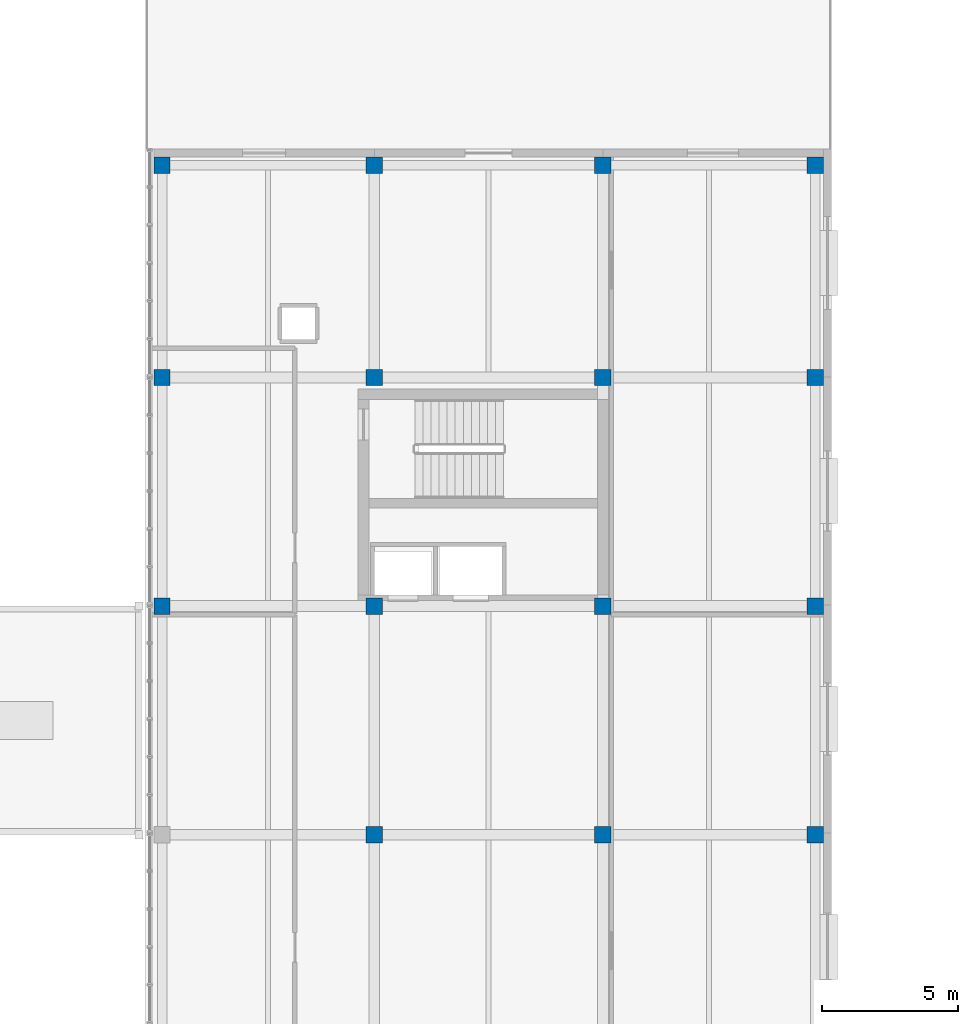
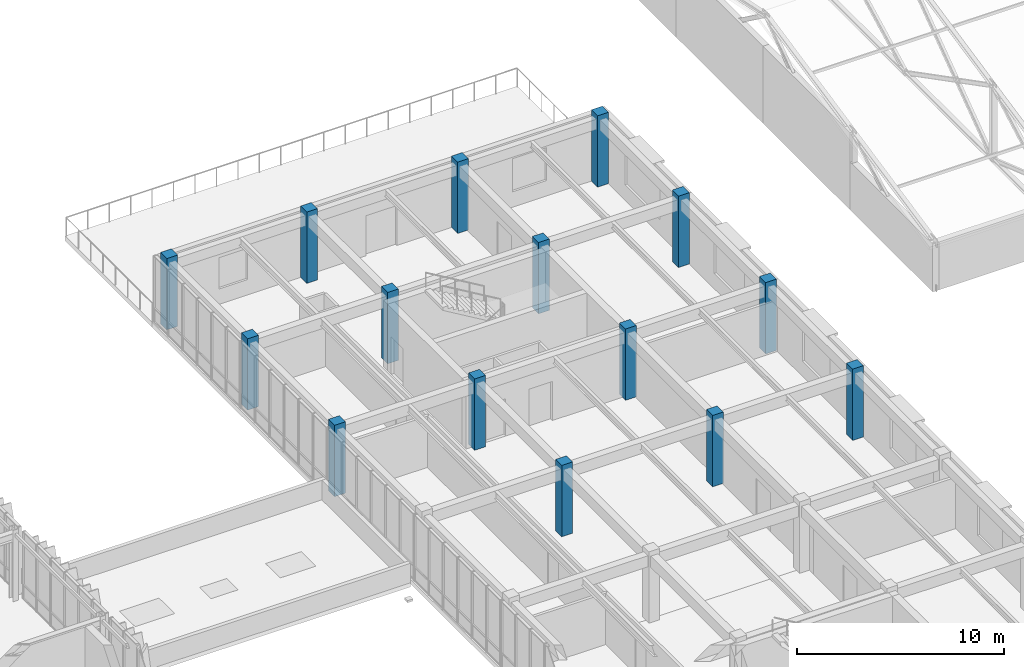
# One storey, part 12 of 123: 15 columns.
"""IFC4 building model written with IfcOpenShell, lengths in metres."""

from ifc_helpers import new_model, si_unit, direction, frame, origin, origin_2d, place, context, subcontext, project, spatial, rectangle, extrude, material, material_profile, profile_set, type_object, element, save


model = new_model("IFC4")

# Units and contexts
model_context = context("Model", 3, precision=1e-05, world=origin(), true_north=direction((0.0, 1.0)))
body_context = subcontext(model_context, "Body", "Model", "MODEL_VIEW")
ifc_project = project(units=[si_unit("LENGTHUNIT", "METRE"), si_unit("AREAUNIT", "SQUARE_METRE"), si_unit("VOLUMEUNIT", "CUBIC_METRE"), si_unit("PLANEANGLEUNIT", "RADIAN"), si_unit("MASSUNIT", "GRAM", prefix="KILO")], contexts=[model_context])

# Site, building, storey
site_placement = place(None, origin())
site = spatial("IfcSite", under=ifc_project, at=site_placement, CompositionType="ELEMENT")
building_placement = place(site_placement, origin())
building = spatial("IfcBuilding", under=site, at=building_placement, Name="Zayran Congress Hotel", CompositionType="ELEMENT")
storey_placement = place(building_placement, frame((0.0, 0.0, 15.0)))
storey = spatial("IfcBuildingStorey", under=building, at=storey_placement, Name="L03", CompositionType="ELEMENT", Elevation=15.0)

# Columns
ifc_material = material(Name="Concrete C40/50", Category="concrete")
ifc_material_profile = material_profile(ifc_material, rectangle(XDim=0.60009765625, YDim=0.60009765625, at=origin_2d()), Name="RC 600x600")
ifc_profile_set = profile_set([ifc_material_profile], Name="Concrete C40/50")
column_type = type_object("IfcColumnType", Name="TP-CL-04", PredefinedType="COLUMN", material=ifc_profile_set)
for number, where, z_axis, x_axis, name in (
    (1, (109.800048828125, 84.39990234375, 0.0), (0.0, 0.0, 1.0), (1.0, 0.0, 0.0), "COL-V4-L03-0834"),
    (2, (109.800048828125, 92.800048828125, 0.0), (0.0, 0.0, 1.0), (1.0, 0.0, 0.0), "COL-V4-L03-0835"),
    (3, (109.800048828125, 100.60009765625, 0.0), (0.0, 0.0, 1.0), (1.0, 0.0, 0.0), "COL-V4-L03-0836"),
    (4, (117.60009765625, 76.0, 0.0), (0.0, 0.0, 1.0), (1.0, 0.0, 0.0), "COL-V4-L03-0841"),
    (5, (117.60009765625, 84.39990234375, 0.0), (0.0, 0.0, 1.0), (1.0, 0.0, 0.0), "COL-V4-L03-0842"),
    (6, (117.60009765625, 92.800048828125, 0.0), (0.0, 0.0, 1.0), (1.0, 0.0, 0.0), "COL-V4-L03-0843"),
    (7, (117.60009765625, 100.60009765625, 0.0), (0.0, 0.0, 1.0), (1.0, 0.0, 0.0), "COL-V4-L03-0844"),
    (8, (126.0, 76.0, 0.0), (0.0, 0.0, 1.0), (1.0, 0.0, 0.0), "COL-V4-L03-0849"),
    (9, (126.0, 84.39990234375, 0.0), (0.0, 0.0, 1.0), (1.0, 0.0, 0.0), "COL-V4-L03-0850"),
    (10, (126.0, 92.800048828125, 0.0), (0.0, 0.0, 1.0), (1.0, 0.0, 0.0), "COL-V4-L03-0851"),
    (11, (126.0, 100.60009765625, 0.0), (0.0, 0.0, 1.0), (1.0, 0.0, 0.0), "COL-V4-L03-0852"),
    (12, (133.800048828125, 76.0, 0.0), (0.0, 0.0, 1.0), (1.0, 0.0, 0.0), "COL-V4-L03-0857"),
    (13, (133.800048828125, 84.39990234375, 0.0), (0.0, 0.0, 1.0), (1.0, 0.0, 0.0), "COL-V4-L03-0858"),
    (14, (133.800048828125, 92.800048828125, 0.0), (0.0, 0.0, 1.0), (1.0, 0.0, 0.0), "COL-V4-L03-0859"),
    (15, (133.800048828125, 100.60009765625, 0.0), (0.0, 0.0, 1.0), (1.0, 0.0, 0.0), "COL-V4-L03-0860"),
):
    element("IfcColumn", number, at=place(storey_placement, frame(where, z_axis=z_axis, x_axis=x_axis)), inside=storey, type_object=column_type, Name=name, PredefinedType="COLUMN", context=body_context, shape_type="SweptSolid", body=[
        extrude(rectangle(XDim=0.60009765625, YDim=0.60009765625, at=origin_2d()), origin(), (0.0, 0.0, 1.0), 4.199951171875),
    ])

save(model, "model.ifc")
